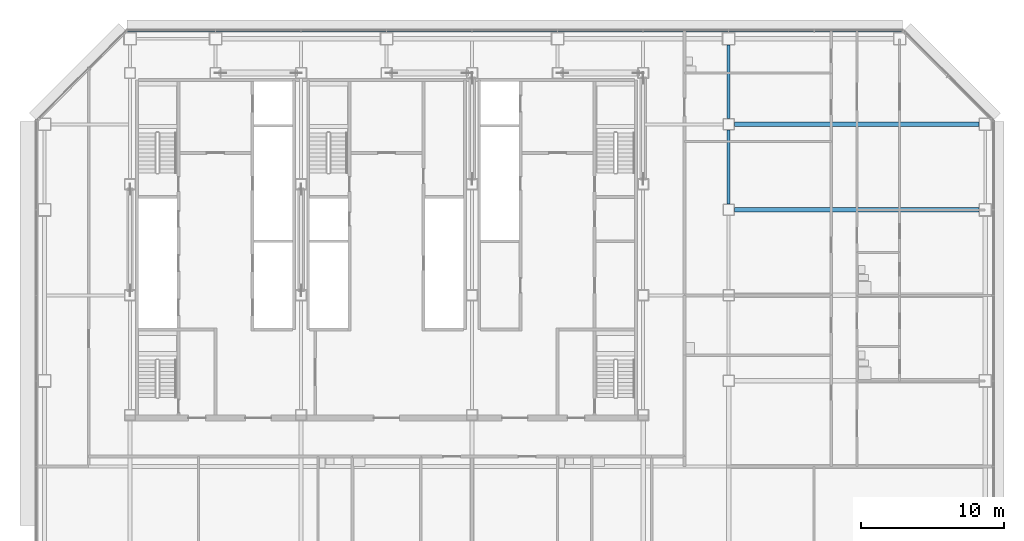
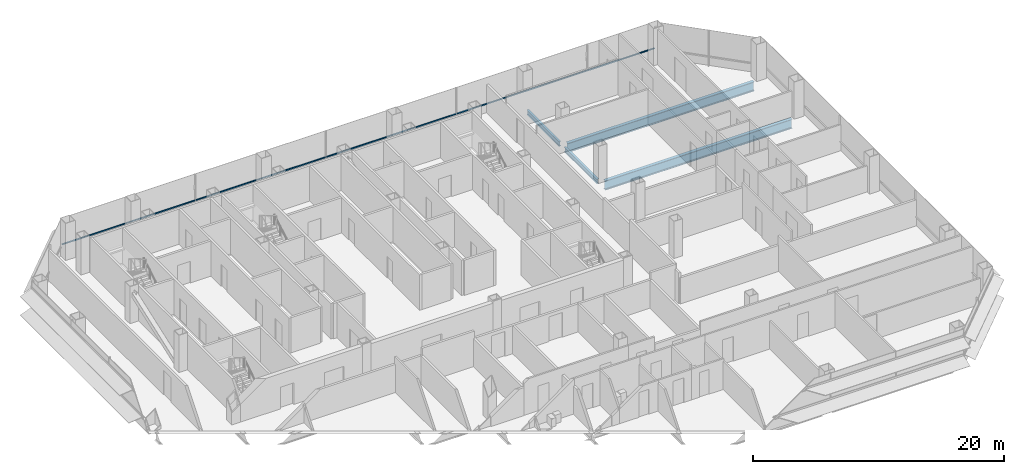
# One storey, part 14 of 26: 4 beams, 1 member, 1 element without a shape of its own.
"""IFC4 building model written with IfcOpenShell, lengths in metres."""

from ifc_helpers import new_model, si_unit, direction, frame, origin, origin_2d, place, context, subcontext, project, spatial, rectangle, i_section, extrude, material, material_profile, profile_set, type_object, element, aggregate, save


model = new_model("IFC4")

# Units and contexts
model_context = context("Model", 3, precision=1e-05, world=origin(), true_north=direction((0.0, 1.0)))
body_context = subcontext(model_context, "Body", "Model", "MODEL_VIEW")
ifc_project = project(units=[si_unit("LENGTHUNIT", "METRE"), si_unit("AREAUNIT", "SQUARE_METRE"), si_unit("VOLUMEUNIT", "CUBIC_METRE"), si_unit("PLANEANGLEUNIT", "RADIAN"), si_unit("MASSUNIT", "GRAM", prefix="KILO")], contexts=[model_context])

# Site, building, storey
site_placement = place(None, origin())
site = spatial("IfcSite", under=ifc_project, at=site_placement, CompositionType="ELEMENT")
building_placement = place(site_placement, origin())
building = spatial("IfcBuilding", under=site, at=building_placement, Name="Sorahane Residences", CompositionType="ELEMENT")
storey_placement = place(building_placement, frame((0.0, 0.0, 64.199951171875)))
storey = spatial("IfcBuildingStorey", under=building, at=storey_placement, Name="L12", CompositionType="ELEMENT", Elevation=64.199951171875)

# Curtain wall, member
ifc_material_1 = material(Name="Dark low-e glass and black anodised aluminium", Category="aluminium")
curtain_wall_type = type_object("IfcCurtainWallType", Name="Curtain wall CW-1 Typical unitised wall", PredefinedType="NOTDEFINED", material=ifc_material_1)
curtain_wall_placement = place(storey_placement, origin())
curtain_wall = element("IfcCurtainWall", 1, at=curtain_wall_placement, inside=storey, type_object=curtain_wall_type, Name="CW-1 curtain wall L12 N1", PredefinedType="NOTDEFINED")
ifc_material_2 = material(Name="Black anodised aluminium", Category="aluminium")
ifc_material_profile_1 = material_profile(ifc_material_2, rectangle(XDim=0.10009765625, YDim=0.06005859375, at=origin_2d()), Name="Curtain wall transom CW-1 black anodised aluminium 60x100")
ifc_profile_set_1 = profile_set([ifc_material_profile_1], Name="Black anodised aluminium")
member_type = type_object("IfcMemberType", Name="Curtain wall transom CW-1 black anodised aluminium 60x100", PredefinedType="USERDEFINED", material=ifc_profile_set_1)
member_placement = place(storey_placement, frame((60.198486328125, 48.530029296875, 0.900146484375), z_axis=(-1.0, 0.0, 0.0), x_axis=(0.0, -1.0, 0.0)))
member = element("IfcMember", 2, at=member_placement, type_object=member_type, Name="CW-1 transom L12 N1", ObjectType="TRANSOM", PredefinedType="USERDEFINED", context=body_context, shape_type="SweptSolid", body=[
    extrude(rectangle(XDim=0.10009765625, YDim=0.06005859375, at=origin_2d()), origin(), (0.0, 0.0, 1.0), 54.39697265625),
])
aggregate(curtain_wall, [member])

# Beams
ifc_material_3 = material(Name="Steel Q355B", Category="steel")
ifc_material_profile_2 = material_profile(ifc_material_3, i_section(OverallWidth=0.199951171875, OverallDepth=0.449951171875, WebThickness=0.009033203125, FlangeThickness=0.013916015625, FilletRadius=0.02001953125, at=origin_2d()), Name="HN 450x200x9x14")
ifc_profile_set_2 = profile_set([ifc_material_profile_2], Name="Steel Q355B")
beam_type_1 = type_object("IfcBeamType", Name="Steel floor beam HN 450x200x9x14 Q355B", PredefinedType="BEAM", material=ifc_profile_set_2)
beam_1_placement = place(storey_placement, frame((48.0, 36.39990234375, -0.405029296875), z_axis=(0.0, 1.0, 0.0), x_axis=(-1.0, 0.0, 0.0)))
element("IfcBeam", 3, at=beam_1_placement, inside=storey, type_object=beam_type_1, Name="Beam L12 055", PredefinedType="BEAM", context=body_context, shape_type="SweptSolid", body=[
    extrude(i_section(OverallWidth=0.199951171875, OverallDepth=0.449951171875, WebThickness=0.009033203125, FlangeThickness=0.013916015625, FilletRadius=0.02001953125, at=origin_2d()), origin(), (0.0, 0.0, 1.0), 5.2001953125),
])
beam_2_placement = place(storey_placement, frame((48.0, 42.39990234375, -0.405029296875), z_axis=(0.0, 1.0, 0.0), x_axis=(-1.0, 0.0, 0.0)))
element("IfcBeam", 4, at=beam_2_placement, inside=storey, type_object=beam_type_1, Name="Beam L12 056", PredefinedType="BEAM", context=body_context, shape_type="SweptSolid", body=[
    extrude(i_section(OverallWidth=0.199951171875, OverallDepth=0.449951171875, WebThickness=0.009033203125, FlangeThickness=0.013916015625, FilletRadius=0.02001953125, at=origin_2d()), origin(), (0.0, 0.0, 1.0), 5.150146484375),
])
ifc_material_4 = material(Name="Steel Q355B", Category="steel")
ifc_material_profile_3 = material_profile(ifc_material_4, i_section(OverallWidth=0.300048828125, OverallDepth=0.89990234375, WebThickness=0.01611328125, FlangeThickness=0.028076171875, FilletRadius=0.028076171875, at=origin_2d()), Name="HN 900x300x16x28")
ifc_profile_set_3 = profile_set([ifc_material_profile_3], Name="Steel Q355B")
beam_type_2 = type_object("IfcBeamType", Name="Steel floor beam HN 900x300x16x28 Q355B", PredefinedType="BEAM", material=ifc_profile_set_3)
for number, where, z_axis, x_axis, name in (
    (5, (48.39990234375, 36.0, -0.6298828125), (1.0, 0.0, 0.0), (0.0, 1.0, 0.0), "Beam L12 011"),
    (6, (48.39990234375, 42.0, -0.6298828125), (1.0, 0.0, 0.0), (0.0, 1.0, 0.0), "Beam L12 081"),
):
    element("IfcBeam", number, at=place(storey_placement, frame(where, z_axis=z_axis, x_axis=x_axis)), inside=storey, type_object=beam_type_2, Name=name, PredefinedType="BEAM", context=body_context, shape_type="SweptSolid", body=[
        extrude(i_section(OverallWidth=0.300048828125, OverallDepth=0.89990234375, WebThickness=0.01611328125, FlangeThickness=0.028076171875, FilletRadius=0.028076171875, at=origin_2d()), origin(), (0.0, 0.0, 1.0), 17.150146484375),
    ])

save(model, "model.ifc")
